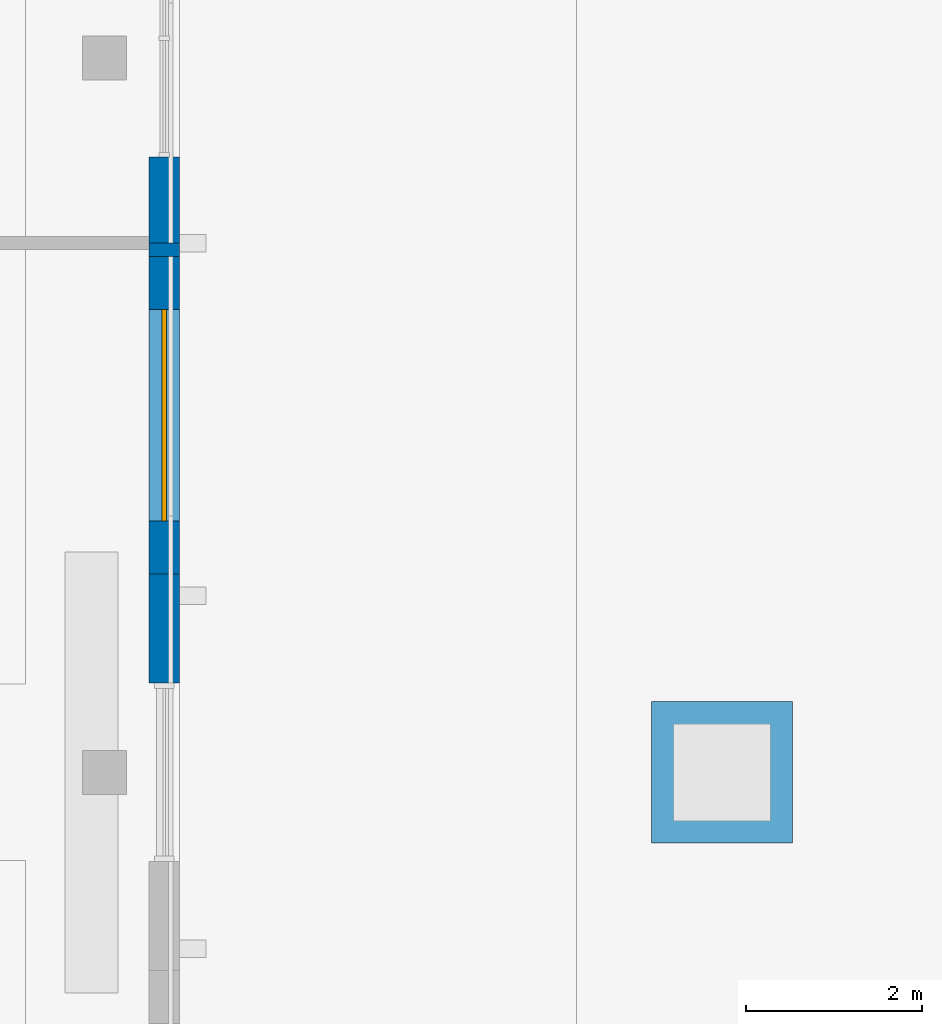
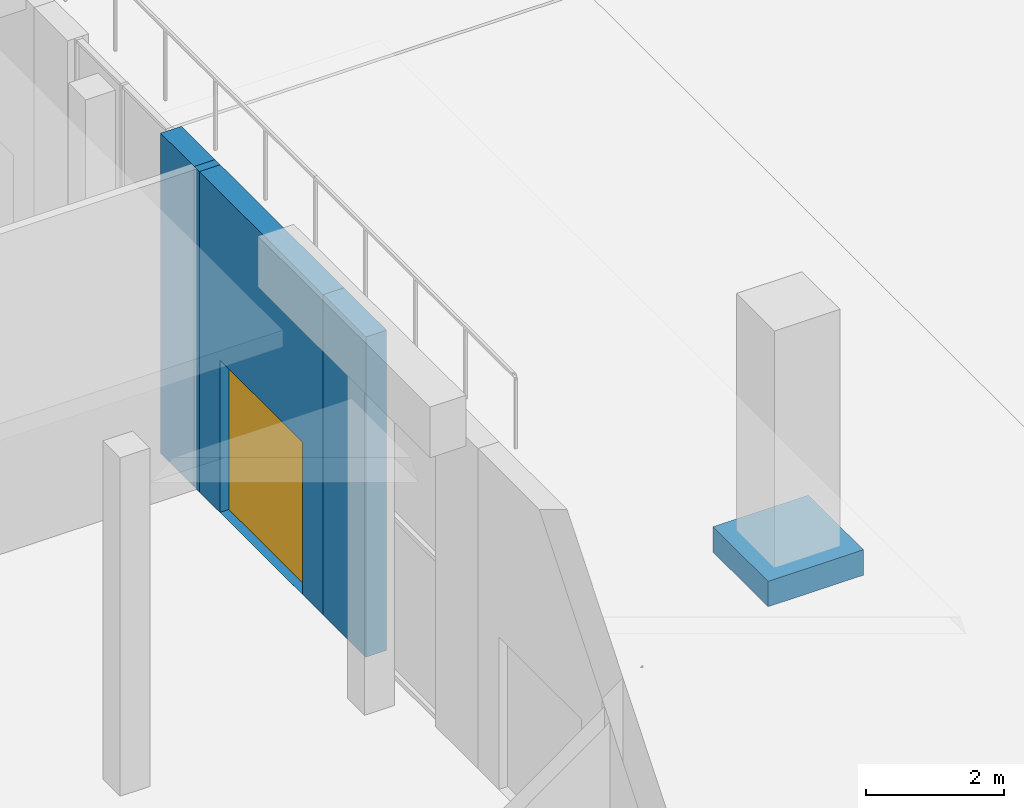
# One storey, part 19 of 32: 5 walls, 1 door, 1 opening.
"""IFC4 building model written with IfcOpenShell, lengths in metres."""

from ifc_helpers import new_model, si_unit, direction, frame, frame_2d, origin, place, context, subcontext, project, spatial, rectangle, extrude, material, layer, layer_set, type_object, element, fill, save


model = new_model("IFC4")

# Units and contexts
model_context = context("Model", 3, precision=1e-05, world=origin(), true_north=direction((0.0, 1.0)))
body_context = subcontext(model_context, "Body", "Model", "MODEL_VIEW")
ifc_project = project(units=[si_unit("LENGTHUNIT", "METRE"), si_unit("AREAUNIT", "SQUARE_METRE"), si_unit("VOLUMEUNIT", "CUBIC_METRE"), si_unit("PLANEANGLEUNIT", "RADIAN"), si_unit("MASSUNIT", "GRAM", prefix="KILO")], contexts=[model_context])

# Site, building, storey
site_placement = place(None, origin())
site = spatial("IfcSite", under=ifc_project, at=site_placement, CompositionType="ELEMENT")
building_placement = place(site_placement, origin())
building = spatial("IfcBuilding", under=site, at=building_placement, Name="Torre Triforio", CompositionType="ELEMENT")
storey_placement = place(building_placement, origin())
storey = spatial("IfcBuildingStorey", under=building, at=storey_placement, Name="L00", CompositionType="ELEMENT", Elevation=0.0)

# Walls
ifc_material_1 = material(Name="Granite block plinth", Category="masonry")
ifc_layer_1 = layer(ifc_material_1, 1.60009765625)
ifc_layer_set_1 = layer_set([ifc_layer_1], Name="Granite block plinth")
wall_type_1 = type_object("IfcWallType", Name="Artwork plinth 1600", PredefinedType="PARAPET", material=ifc_layer_set_1)
wall_1_placement = place(storey_placement, frame((83.199951171875, 0.0, 0.0), z_axis=(0.0, 0.0, 1.0), x_axis=(1.0, 0.0, 0.0)))
element("IfcWall", 1, at=wall_1_placement, inside=storey, type_object=wall_type_1, Name="Public artwork plinth", PredefinedType="PARAPET", context=body_context, shape_type="SweptSolid", body=[
    extrude(rectangle(XDim=1.60009765625, YDim=1.60009765625, at=frame_2d((0.800048828125, 0.0))), origin(), (0.0, 0.0, 1.0), 0.449951171875),
])
ifc_material_2 = material(Name="Limestone cladding", Category="masonry")
ifc_layer_2 = layer(ifc_material_2, 0.10009765625)
ifc_material_3 = material(Name="Concrete C40", Category="concrete")
ifc_layer_3 = layer(ifc_material_3, 0.25)
ifc_layer_set_2 = layer_set([ifc_layer_2, ifc_layer_3], Name="Limestone cladding / Concrete C40")
wall_type_2 = type_object("IfcWallType", Name="Stone-clad podium wall 350", PredefinedType="STANDARD", material=ifc_layer_set_2)
wall_2_placement = place(storey_placement, frame((77.675048828125, 1.012451171875, 0.0), z_axis=(0.0, 0.0, 1.0), x_axis=(0.0, 1.0, 0.0)))
element("IfcWall", 2, at=wall_2_placement, inside=storey, type_object=wall_type_2, Name="External wall L00 e08.7.g1", PredefinedType="STANDARD", context=body_context, shape_type="SweptSolid", body=[
    extrude(rectangle(XDim=1.237548828125, YDim=0.35009765625, at=frame_2d((0.61865234375, 0.0))), origin(), (0.0, 0.0, 1.0), 5.679931640625),
])

# Wall, opening, door
wall_3_placement = place(storey_placement, frame((77.675048828125, 2.25, 0.0), z_axis=(0.0, 0.0, 1.0), x_axis=(0.0, 1.0, 0.0)))
wall_3 = element("IfcWall", 3, at=wall_3_placement, inside=storey, type_object=wall_type_2, Name="External wall L00 e08.8", PredefinedType="STANDARD", context=body_context, shape_type="SweptSolid", body=[
    extrude(rectangle(XDim=3.60009765625, YDim=0.35009765625, at=frame_2d((1.800048828125, 0.0))), origin(), (0.0, 0.0, 1.0), 5.679931640625),
])
opening_placement = place(wall_3_placement, frame((0.60009765625, 0.0, 0.0)))
opening = element("IfcOpeningElement", 4, at=opening_placement, cuts=wall_3, Name="Opening P0-34", PredefinedType="OPENING", context=body_context, shape_type="SweptSolid", body=[
    extrude(rectangle(XDim=2.39990234375, YDim=2.699951171875, at=frame_2d((1.199951171875, 1.35009765625))), frame((0.0, 0.18505859375, 0.0), z_axis=(0.0, -1.0, 0.0), x_axis=(1.0, 0.0, 0.0)), (0.0, 0.0, 1.0), 0.3701171875),
])
ifc_material_4 = material(Name="Glazed aluminium door", Category="aluminium")
door_type = type_object("IfcDoorType", Name="Entrance double door 2400 x 2700", OperationType="NOTDEFINED", PredefinedType="DOOR", material=ifc_material_4)
door_placement = place(opening_placement, frame((2.39990234375, 0.0, 0.0), z_axis=(0.0, 0.0, 1.0), x_axis=(-1.0, 0.0, 0.0)))
door = element("IfcDoor", 5, at=door_placement, inside=storey, type_object=door_type, Name="Door P0-34", OperationType="SINGLE_SWING_RIGHT", OverallHeight=2.699951171875, OverallWidth=2.39990234375, PredefinedType="DOOR", context=body_context, shape_type="SweptSolid", body=[
    extrude(rectangle(XDim=2.39990234375, YDim=2.699951171875, at=frame_2d((1.199951171875, 1.35009765625))), frame((0.0, 0.02490234375, 0.0), z_axis=(0.0, -1.0, 0.0), x_axis=(1.0, 0.0, 0.0)), (0.0, 0.0, 1.0), 0.050048828125),
])
fill(opening, door)

# Walls
wall_4_placement = place(storey_placement, frame((77.675048828125, 5.85009765625, 0.0), z_axis=(0.0, 0.0, 1.0), x_axis=(0.0, 1.0, 0.0)))
element("IfcWall", 6, at=wall_4_placement, inside=storey, type_object=wall_type_2, Name="External wall L00 e08.9.0.w0", PredefinedType="STANDARD", context=body_context, shape_type="SweptSolid", body=[
    extrude(rectangle(XDim=0.14990234375, YDim=0.35009765625, at=frame_2d((0.074951171875, 0.0))), origin(), (0.0, 0.0, 1.0), 5.679931640625),
])
wall_5_placement = place(storey_placement, frame((77.675048828125, 6.0, 0.0), z_axis=(0.0, 0.0, 1.0), x_axis=(0.0, 1.0, 0.0)))
element("IfcWall", 7, at=wall_5_placement, inside=storey, type_object=wall_type_2, Name="External wall L00 e08.9.1.g0", PredefinedType="STANDARD", context=body_context, shape_type="SweptSolid", body=[
    extrude(rectangle(XDim=0.97509765625, YDim=0.35009765625, at=frame_2d((0.487548828125, 0.0))), origin(), (0.0, 0.0, 1.0), 5.679931640625),
])

save(model, "model.ifc")
